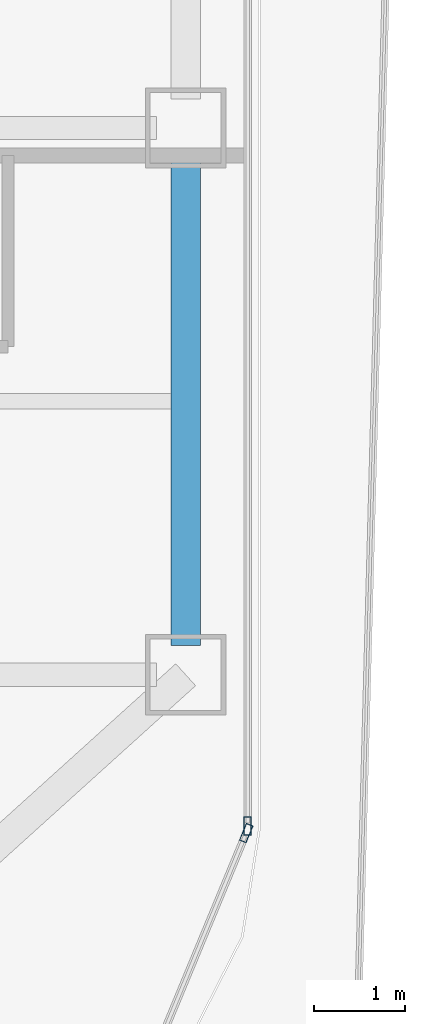
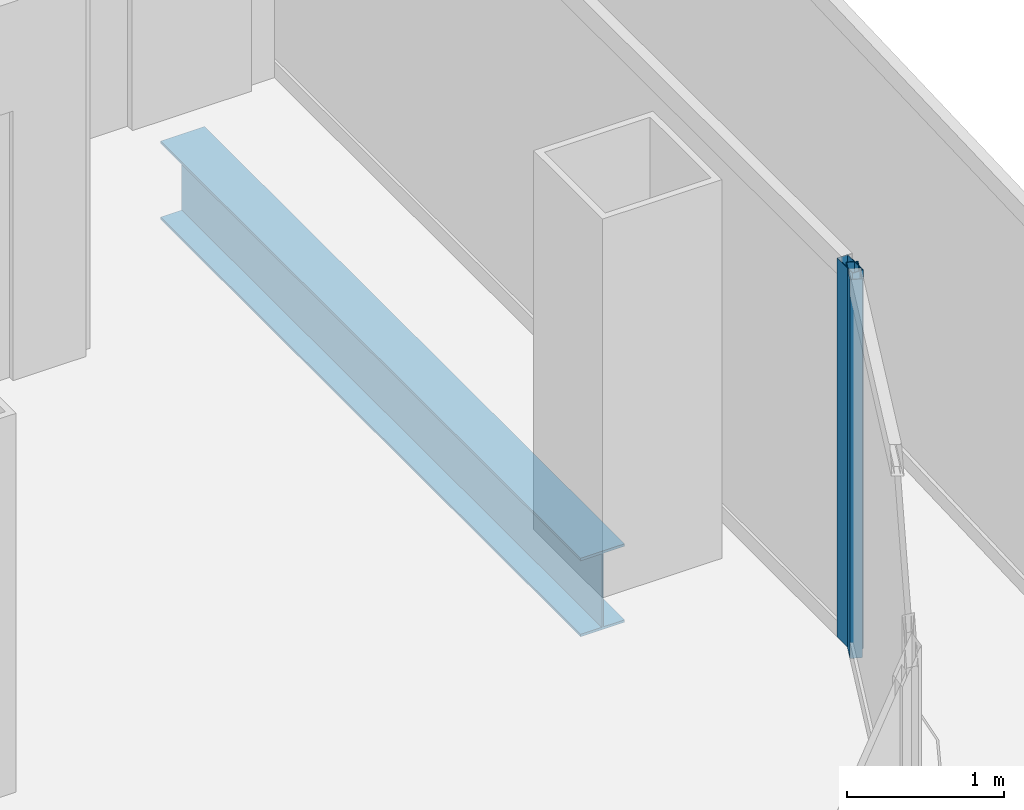
# One storey, part 8 of 21: 2 members, 1 beam, 2 elements without a shape of their own.
"""IFC4 building model written with IfcOpenShell, lengths in metres."""

from ifc_helpers import new_model, si_unit, direction, frame, origin, origin_2d, place, context, subcontext, project, spatial, hollow_rectangle, i_section, extrude, source, transform, mapped, material, layer, layer_set, material_profile, profile_set, type_object, element, aggregate, save


model = new_model("IFC4")

# Units and contexts
model_context = context("Model", 3, precision=1e-05, world=origin(), true_north=direction((0.0, 1.0)))
body_context = subcontext(model_context, "Body", "Model", "MODEL_VIEW")
ifc_project = project(units=[si_unit("LENGTHUNIT", "METRE"), si_unit("AREAUNIT", "SQUARE_METRE"), si_unit("VOLUMEUNIT", "CUBIC_METRE"), si_unit("PLANEANGLEUNIT", "RADIAN"), si_unit("MASSUNIT", "GRAM", prefix="KILO")], contexts=[model_context])

# Site, building, storey
site_placement = place(None, origin())
site = spatial("IfcSite", under=ifc_project, at=site_placement, CompositionType="ELEMENT")
building_placement = place(site_placement, origin())
building = spatial("IfcBuilding", under=site, at=building_placement, Name="Kolveth Station Tower", CompositionType="ELEMENT")
storey_placement = place(building_placement, frame((0.0, 0.0, 118.300048828125)))
storey = spatial("IfcBuildingStorey", under=building, at=storey_placement, Name="L32", CompositionType="ELEMENT", Elevation=118.300048828125)

# Beam
ifc_material_1 = material(Name="Steel S355", Category="steel")
ifc_material_profile_1 = material_profile(ifc_material_1, i_section(OverallWidth=0.323974609375, OverallDepth=0.611083984375, WebThickness=0.0126953125, FlangeThickness=0.01904296875, at=origin_2d()), Name="W610x155")
ifc_profile_set_1 = profile_set([ifc_material_profile_1], Name="Steel S355")
beam_type = type_object("IfcBeamType", Name="Beam_SP2", PredefinedType="SPANDREL", material=ifc_profile_set_1)
shared_shape_1 = source(origin(), body_context, "Body", "SweptSolid", [
    extrude(i_section(OverallWidth=0.323974609375, OverallDepth=0.611083984375, WebThickness=0.0126953125, FlangeThickness=0.01904296875, at=origin_2d()), origin(), (0.0, 0.0, 1.0), 5.35986328125),
])
beam_placement = place(storey_placement, frame((46.199951171875, 5.820068359375, -0.5556640625), z_axis=(0.0, 1.0, 0.0), x_axis=(-1.0, 0.0, 0.0)))
element("IfcBeam", 1, at=beam_placement, inside=storey, type_object=beam_type, Name="L32 Perimeter Spandrel BM-L32-PE-1", PredefinedType="SPANDREL", context=body_context, shape_type="MappedRepresentation", body=[
    mapped(shared_shape_1, transform((0.0, 0.0, 0.0), x_axis=(1.0, 0.0, 0.0), y_axis=(0.0, 1.0, 0.0), z_axis=(0.0, 0.0, 1.0), scale=1.0)),
])

# Curtain wall, member
ifc_material_2 = material(Name="Aluminium 6063-T6 and low-E dark glass", Category="aluminium")
ifc_layer = layer(ifc_material_2, 0.18994140625)
ifc_layer_set = layer_set([ifc_layer], Name="Aluminium 6063-T6 and low-E dark glass")
curtain_wall_type = type_object("IfcCurtainWallType", Name="CurtainWall_CW-Z2", PredefinedType="NOTDEFINED", material=ifc_layer_set)
curtain_wall_1_placement = place(storey_placement, origin())
curtain_wall_1 = element("IfcCurtainWall", 2, at=curtain_wall_1_placement, inside=storey, type_object=curtain_wall_type, Name="L32 Inner Thermal Curtain Wall 2", PredefinedType="NOTDEFINED")
ifc_material_3 = material(Name="Black anodized aluminium 6063-T6", Category="aluminium")
ifc_material_profile_2 = material_profile(ifc_material_3, hollow_rectangle(XDim=0.080078125, YDim=0.199951171875, WallThickness=0.0048828125, at=origin_2d()), Name="ALU-80x200x5")
ifc_profile_set_2 = profile_set([ifc_material_profile_2], Name="Black anodized aluminium 6063-T6")
member_type = type_object("IfcMemberType", Name="Mullion_ML2", PredefinedType="MULLION", material=ifc_profile_set_2)
shared_shape_2 = source(origin(), body_context, "Body", "SweptSolid", [
    extrude(hollow_rectangle(XDim=0.080078125, YDim=0.199951171875, WallThickness=0.0048828125, at=origin_2d()), origin(), (0.0, 0.0, 1.0), 2.949951171875),
])
member_1_placement = place(storey_placement, frame((46.86474609375, 3.762939453125, 0.0), z_axis=(0.0, 0.0, 1.0), x_axis=(-0.923887883787, 0.38266326998, 0.0)))
member_1 = element("IfcMember", 3, at=member_1_placement, type_object=member_type, Name="CW-Z2 mullion 2", PredefinedType="MULLION", context=body_context, shape_type="MappedRepresentation", body=[
    mapped(shared_shape_2, transform((0.0, 0.0, 0.0), x_axis=(1.0, 0.0, 0.0), y_axis=(0.0, 1.0, 0.0), z_axis=(0.0, 0.0, 1.0), scale=1.0)),
])
aggregate(curtain_wall_1, [member_1])

curtain_wall_2_placement = place(storey_placement, origin())
curtain_wall_2 = element("IfcCurtainWall", 4, at=curtain_wall_2_placement, inside=storey, type_object=curtain_wall_type, Name="L32 Inner Thermal Curtain Wall 3", PredefinedType="NOTDEFINED")
member_2_placement = place(storey_placement, frame((46.8798828125, 3.840087890625, 0.0), z_axis=(0.0, 0.0, 1.0), x_axis=(-1.0, 0.0, 0.0)))
member_2 = element("IfcMember", 5, at=member_2_placement, type_object=member_type, Name="CW-Z2 mullion 1", PredefinedType="MULLION", context=body_context, shape_type="MappedRepresentation", body=[
    mapped(shared_shape_2, transform((0.0, 0.0, 0.0), x_axis=(1.0, 0.0, 0.0), y_axis=(0.0, 1.0, 0.0), z_axis=(0.0, 0.0, 1.0), scale=1.0)),
])
aggregate(curtain_wall_2, [member_2])

save(model, "model.ifc")
